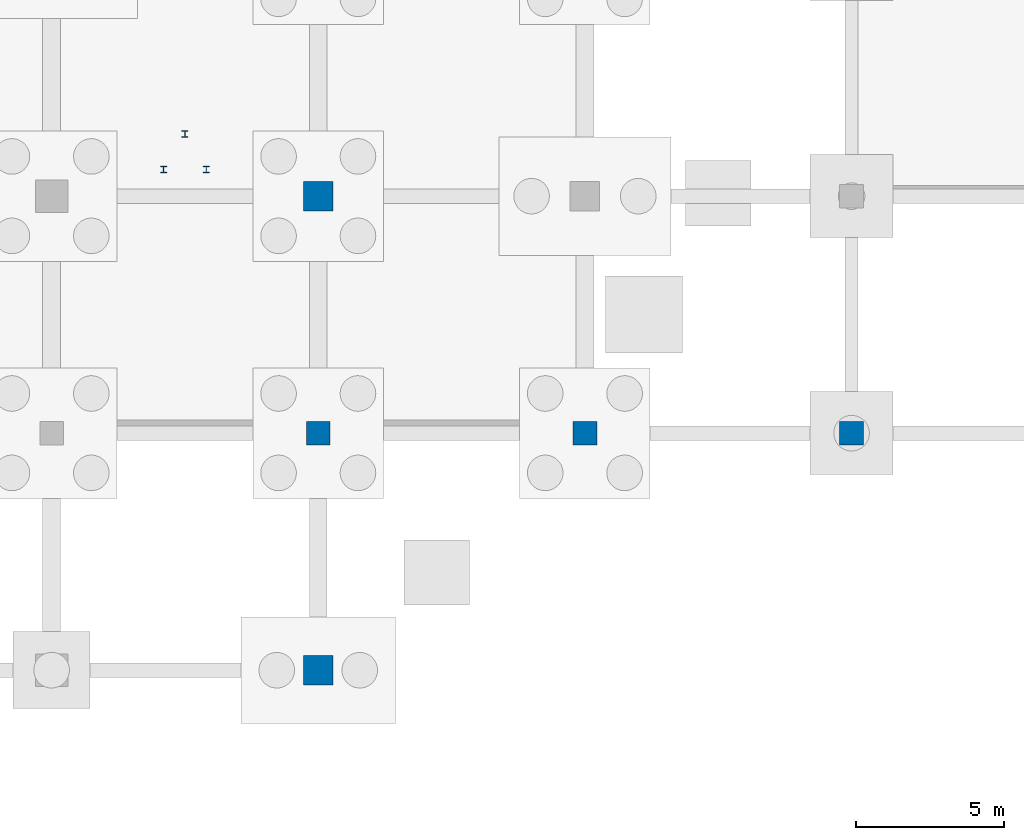
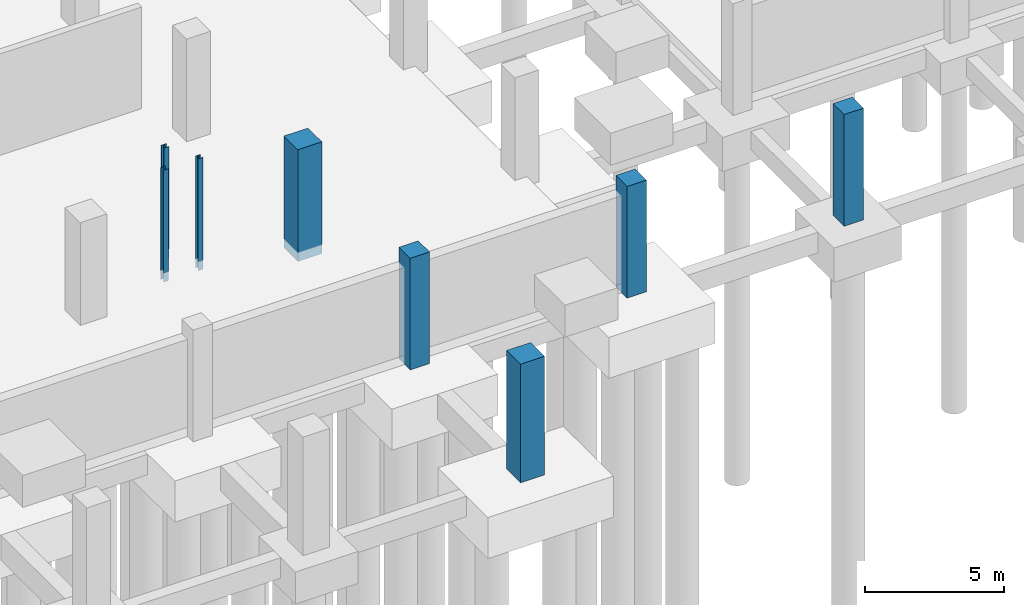
# One storey, part 16 of 40: 8 columns.
"""IFC4 building model written with IfcOpenShell, lengths in metres."""

from ifc_helpers import new_model, si_unit, direction, frame, origin, origin_2d, place, context, subcontext, project, spatial, rectangle, i_section, extrude, material, material_profile, profile_set, type_object, element, save


model = new_model("IFC4")

# Units and contexts
model_context = context("Model", 3, precision=1e-05, world=origin(), true_north=direction((0.0, 1.0)))
body_context = subcontext(model_context, "Body", "Model", "MODEL_VIEW")
ifc_project = project(units=[si_unit("LENGTHUNIT", "METRE"), si_unit("AREAUNIT", "SQUARE_METRE"), si_unit("VOLUMEUNIT", "CUBIC_METRE"), si_unit("PLANEANGLEUNIT", "RADIAN"), si_unit("MASSUNIT", "GRAM", prefix="KILO")], contexts=[model_context])

# Site, building, storey
site_placement = place(None, origin())
site = spatial("IfcSite", under=ifc_project, at=site_placement, CompositionType="ELEMENT")
building_placement = place(site_placement, origin())
building = spatial("IfcBuilding", under=site, at=building_placement, Name="Marnock Terrace Opera House", CompositionType="ELEMENT")
storey_placement = place(building_placement, frame((0.0, 0.0, -4.800048828125)))
storey = spatial("IfcBuildingStorey", under=building, at=storey_placement, Name="B1", CompositionType="ELEMENT", Elevation=-4.800048828125)

# Columns
ifc_material_1 = material(Name="Concrete N50 (f'c = 50 MPa)", Category="concrete")
ifc_material_profile_1 = material_profile(ifc_material_1, rectangle(XDim=1.0, YDim=1.0, at=origin_2d()))
ifc_profile_set_1 = profile_set([ifc_material_profile_1], Name="Concrete N50 (f'c = 50 MPa)")
column_type_1 = type_object("IfcColumnType", Name="COL-RC1000", PredefinedType="COLUMN", material=ifc_profile_set_1)
column_1_placement = place(storey_placement, frame((100.0, 0.0, -0.39990234375), z_axis=(0.0, 0.0, 1.0), x_axis=(1.0, 0.0, 0.0)))
element("IfcColumn", 1, at=column_1_placement, inside=storey, type_object=column_type_1, Name="B1 column at (100.0, 0.0)", PredefinedType="COLUMN", context=body_context, shape_type="SweptSolid", body=[
    extrude(rectangle(XDim=1.0, YDim=1.0, at=origin_2d()), origin(), (0.0, 0.0, 1.0), 5.199951171875),
])
column_2_placement = place(storey_placement, frame((100.0, 16.0, -0.39990234375), z_axis=(0.0, 0.0, 1.0), x_axis=(1.0, 0.0, 0.0)))
element("IfcColumn", 2, at=column_2_placement, inside=storey, type_object=column_type_1, Name="B1 column at (100.0, 16.0)", PredefinedType="COLUMN", context=body_context, shape_type="SweptSolid", body=[
    extrude(rectangle(XDim=1.0, YDim=1.0, at=origin_2d()), origin(), (0.0, 0.0, 1.0), 4.89990234375),
])
ifc_material_profile_2 = material_profile(ifc_material_1, rectangle(XDim=0.800048828125, YDim=0.800048828125, at=origin_2d()))
ifc_profile_set_2 = profile_set([ifc_material_profile_2], Name="Concrete N50 (f'c = 50 MPa)")
column_type_2 = type_object("IfcColumnType", Name="COL-RC800", PredefinedType="COLUMN", material=ifc_profile_set_2)
for number, where, z_axis, x_axis, name in (
    (3, (100.0, 8.0, -0.39990234375), (0.0, 0.0, 1.0), (1.0, 0.0, 0.0), "B1 column at (100.0, 8.0)"),
    (4, (109.0, 8.0, -0.39990234375), (0.0, 0.0, 1.0), (1.0, 0.0, 0.0), "B1 column at (109.0, 8.0)"),
    (5, (118.0, 8.0, -0.39990234375), (0.0, 0.0, 1.0), (1.0, 0.0, 0.0), "B1 column at (118.0, 8.0)"),
):
    element("IfcColumn", number, at=place(storey_placement, frame(where, z_axis=z_axis, x_axis=x_axis)), inside=storey, type_object=column_type_2, Name=name, PredefinedType="COLUMN", context=body_context, shape_type="SweptSolid", body=[
        extrude(rectangle(XDim=0.800048828125, YDim=0.800048828125, at=origin_2d()), origin(), (0.0, 0.0, 1.0), 4.89990234375),
    ])
ifc_material_2 = material(Name="Steel Grade 350 (AS/NZS 3679.1)", Category="steel")
ifc_material_profile_3 = material_profile(ifc_material_2, i_section(OverallWidth=0.205078125, OverallDepth=0.209716796875, WebThickness=0.00927734375, FlangeThickness=0.01416015625, FilletRadius=0.011474609375, at=origin_2d()))
ifc_profile_set_3 = profile_set([ifc_material_profile_3], Name="Steel Grade 350 (AS/NZS 3679.1)")
column_type_3 = type_object("IfcColumnType", Name="COL-UC200", PredefinedType="COLUMN", material=ifc_profile_set_3)
for number, where, z_axis, x_axis, name in (
    (6, (94.780029296875, 16.89990234375, -0.39990234375), (0.0, 0.0, 1.0), (1.0, 0.0, 0.0), "B1 Grand Stair ST-10 under-foyer pier SW"),
    (7, (96.219970703125, 16.89990234375, -0.39990234375), (0.0, 0.0, 1.0), (1.0, 0.0, 0.0), "B1 Grand Stair ST-10 under-foyer pier SE"),
    (8, (95.5, 18.10009765625, -0.39990234375), (0.0, 0.0, 1.0), (1.0, 0.0, 0.0), "B1 Grand Stair ST-10 under-foyer pier N"),
):
    element("IfcColumn", number, at=place(storey_placement, frame(where, z_axis=z_axis, x_axis=x_axis)), inside=storey, type_object=column_type_3, Name=name, PredefinedType="COLUMN", context=body_context, shape_type="SweptSolid", body=[
        extrude(i_section(OverallWidth=0.205078125, OverallDepth=0.209716796875, WebThickness=0.00927734375, FlangeThickness=0.01416015625, FilletRadius=0.011474609375, at=origin_2d()), origin(), (0.0, 0.0, 1.0), 4.89990234375),
    ])

save(model, "model.ifc")
